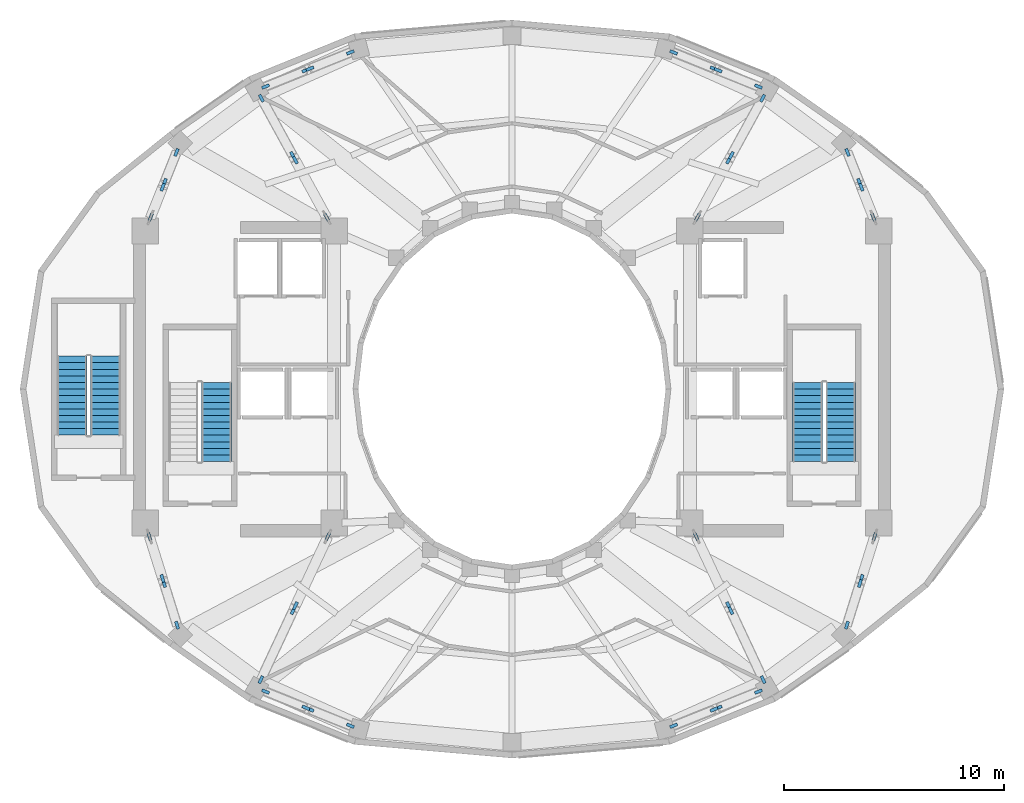
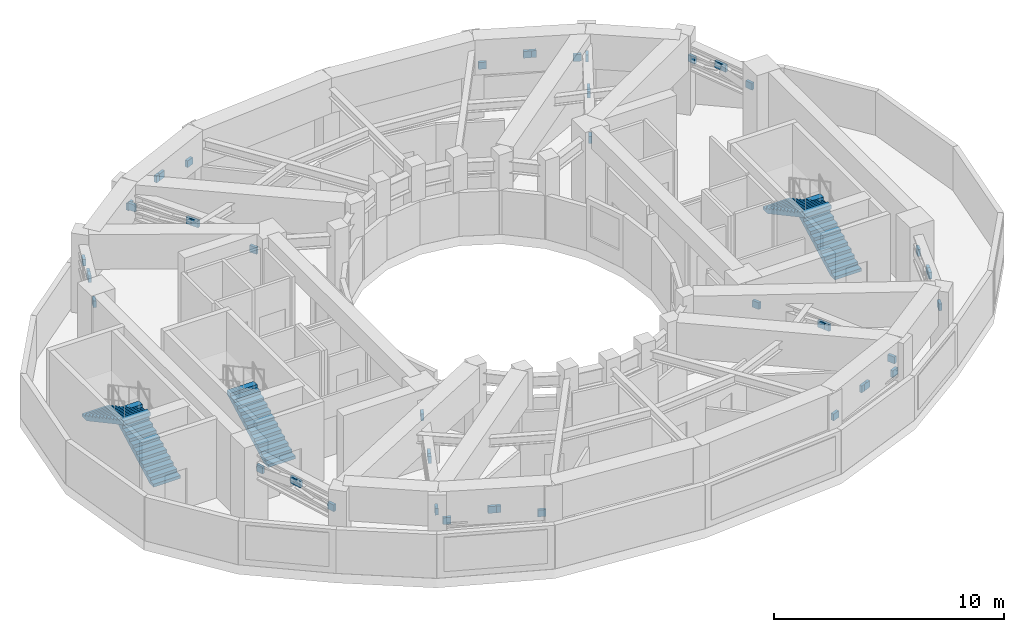
# One storey, part 6 of 10: 48 discrete accessories, 5 stair flights, 3 elements without a shape of their own.
"""IFC4 building model written with IfcOpenShell, lengths in metres."""

from ifc_helpers import new_model, si_unit, direction, frame, origin, origin_2d, place, context, subcontext, project, spatial, polyline, rectangle, outline, extrude, material, layer, layer_set, type_object, element, aggregate, save


model = new_model("IFC4")

# Units and contexts
model_context = context("Model", 3, precision=1e-05, world=origin(), true_north=direction((0.0, 1.0)))
body_context = subcontext(model_context, "Body", "Model", "MODEL_VIEW")
ifc_project = project(units=[si_unit("LENGTHUNIT", "METRE"), si_unit("AREAUNIT", "SQUARE_METRE"), si_unit("VOLUMEUNIT", "CUBIC_METRE"), si_unit("PLANEANGLEUNIT", "RADIAN"), si_unit("MASSUNIT", "GRAM", prefix="KILO")], contexts=[model_context])

# Site, building, storey
site_placement = place(None, origin())
site = spatial("IfcSite", under=ifc_project, at=site_placement, CompositionType="ELEMENT")
building_placement = place(site_placement, origin())
building = spatial("IfcBuilding", under=site, at=building_placement, Name="Solvane Sanctuary Tower", CompositionType="ELEMENT")
storey_placement = place(building_placement, frame((0.0, 0.0, 193.199951171875)))
storey = spatial("IfcBuildingStorey", under=building, at=storey_placement, Name="L59", CompositionType="ELEMENT", Elevation=193.199951171875)

# Stair, stair flight
ifc_material_1 = material(Name="Concrete C45/55", Category="concrete")
stair_type = type_object("IfcStairType", Name="Stair ST-TOW", PredefinedType="HALF_TURN_STAIR", material=ifc_material_1)
stair_1_placement = place(storey_placement, origin())
stair_1 = element("IfcStair", 1, at=stair_1_placement, inside=storey, type_object=stair_type, Name="L59 Exit Stair ST-1 West Core", PredefinedType="HALF_TURN_STAIR")
stair_flight_type = type_object("IfcStairFlightType", Name="StairFlight SF-TOW", PredefinedType="STRAIGHT", material=ifc_material_1)
stair_flight_1_placement = place(storey_placement, frame((18.544921875, 19.699951171875, 0.0), z_axis=(0.0, 0.0, 1.0), x_axis=(0.0, 1.0, 0.0)))
stair_flight_1 = element("IfcStairFlight", 2, at=stair_flight_1_placement, type_object=stair_flight_type, Name="ST-1 flight 1", NumberOfRisers=13, NumberOfTreads=12, PredefinedType="STRAIGHT", RiserHeight=0.161538462, TreadLength=0.3, context=body_context, shape_type="SweptSolid", body=[
    extrude(outline(polyline([(0.0, 0.0), (0.0, 0.16162109375), (0.300048828125, 0.16162109375), (0.300048828125, 0.322998046875), (0.60009765625, 0.322998046875), (0.60009765625, 0.484619140625), (0.89990234375, 0.484619140625), (0.89990234375, 0.646240234375), (1.199951171875, 0.646240234375), (1.199951171875, 0.8076171875), (1.5, 0.8076171875), (1.5, 0.96923828125), (1.800048828125, 0.96923828125), (1.800048828125, 1.130859375), (2.10009765625, 1.130859375), (2.10009765625, 1.292236328125), (2.39990234375, 1.292236328125), (2.39990234375, 1.453857421875), (2.699951171875, 1.453857421875), (2.699951171875, 1.615478515625), (3.0, 1.615478515625), (3.0, 1.77685546875), (3.300048828125, 1.77685546875), (3.300048828125, 1.9384765625), (3.60009765625, 1.9384765625), (3.60009765625, 2.10009765625), (3.60009765625, 1.734130859375), (0.379638671875, 0.0), (0.0, 0.0)])), frame((0.0, 0.675048828125, 0.0), z_axis=(0.0, -1.0, 0.0), x_axis=(1.0, 0.0, 0.0)), (0.0, 0.0, 1.0), 1.35009765625),
])
aggregate(stair_1, [stair_flight_1])

# Stair, stair flights
stair_2_placement = place(storey_placement, origin())
stair_2 = element("IfcStair", 3, at=stair_2_placement, inside=storey, type_object=stair_type, Name="L59 Exit Stair ST-2 East Core", PredefinedType="HALF_TURN_STAIR")
stair_flight_2_placement = place(storey_placement, frame((46.965087890625, 19.699951171875, 0.0), z_axis=(0.0, 0.0, 1.0), x_axis=(0.0, 1.0, 0.0)))
stair_flight_2 = element("IfcStairFlight", 4, at=stair_flight_2_placement, type_object=stair_flight_type, Name="ST-2 flight 1", NumberOfRisers=13, NumberOfTreads=12, PredefinedType="STRAIGHT", RiserHeight=0.161538462, TreadLength=0.3, context=body_context, shape_type="SweptSolid", body=[
    extrude(outline(polyline([(0.0, 0.0), (0.0, 0.16162109375), (0.300048828125, 0.16162109375), (0.300048828125, 0.322998046875), (0.60009765625, 0.322998046875), (0.60009765625, 0.484619140625), (0.89990234375, 0.484619140625), (0.89990234375, 0.646240234375), (1.199951171875, 0.646240234375), (1.199951171875, 0.8076171875), (1.5, 0.8076171875), (1.5, 0.96923828125), (1.800048828125, 0.96923828125), (1.800048828125, 1.130859375), (2.10009765625, 1.130859375), (2.10009765625, 1.292236328125), (2.39990234375, 1.292236328125), (2.39990234375, 1.453857421875), (2.699951171875, 1.453857421875), (2.699951171875, 1.615478515625), (3.0, 1.615478515625), (3.0, 1.77685546875), (3.300048828125, 1.77685546875), (3.300048828125, 1.9384765625), (3.60009765625, 1.9384765625), (3.60009765625, 2.10009765625), (3.60009765625, 1.734130859375), (0.379638671875, 0.0), (0.0, 0.0)])), frame((0.0, 0.675048828125, 0.0), z_axis=(0.0, -1.0, 0.0), x_axis=(1.0, 0.0, 0.0)), (0.0, 0.0, 1.0), 1.35009765625),
])
stair_flight_3_placement = place(storey_placement, frame((45.455078125, 23.300048828125, 2.10009765625), z_axis=(0.0, 0.0, 1.0), x_axis=(0.0, -1.0, 0.0)))
stair_flight_3 = element("IfcStairFlight", 5, at=stair_flight_3_placement, type_object=stair_flight_type, Name="ST-2 flight 2", NumberOfRisers=13, NumberOfTreads=12, PredefinedType="STRAIGHT", RiserHeight=0.161538462, TreadLength=0.3, context=body_context, shape_type="SweptSolid", body=[
    extrude(outline(polyline([(0.0, 0.0), (0.0, 0.16162109375), (0.300048828125, 0.16162109375), (0.300048828125, 0.322998046875), (0.60009765625, 0.322998046875), (0.60009765625, 0.484619140625), (0.89990234375, 0.484619140625), (0.89990234375, 0.646240234375), (1.199951171875, 0.646240234375), (1.199951171875, 0.8076171875), (1.5, 0.8076171875), (1.5, 0.96923828125), (1.800048828125, 0.96923828125), (1.800048828125, 1.130859375), (2.10009765625, 1.130859375), (2.10009765625, 1.292236328125), (2.39990234375, 1.292236328125), (2.39990234375, 1.453857421875), (2.699951171875, 1.453857421875), (2.699951171875, 1.615478515625), (3.0, 1.615478515625), (3.0, 1.77685546875), (3.300048828125, 1.77685546875), (3.300048828125, 1.9384765625), (3.60009765625, 1.9384765625), (3.60009765625, 2.10009765625), (3.60009765625, 1.734130859375), (0.379638671875, 0.0), (0.0, 0.0)])), frame((0.0, 0.675048828125, 0.0), z_axis=(0.0, -1.0, 0.0), x_axis=(1.0, 0.0, 0.0)), (0.0, 0.0, 1.0), 1.35009765625),
])
aggregate(stair_2, [stair_flight_2, stair_flight_3])

stair_3_placement = place(storey_placement, origin())
stair_3 = element("IfcStair", 6, at=stair_3_placement, inside=storey, type_object=stair_type, Name="L59 Exit Stair ST-3 Pilgrim Tower Stair", PredefinedType="HALF_TURN_STAIR")
stair_flight_4_placement = place(storey_placement, frame((13.485107421875, 20.89990234375, 0.0), z_axis=(0.0, 0.0, 1.0), x_axis=(0.0, 1.0, 0.0)))
stair_flight_4 = element("IfcStairFlight", 7, at=stair_flight_4_placement, type_object=stair_flight_type, Name="ST-3 flight 1", NumberOfRisers=13, NumberOfTreads=12, PredefinedType="STRAIGHT", RiserHeight=0.161538462, TreadLength=0.3, context=body_context, shape_type="SweptSolid", body=[
    extrude(outline(polyline([(0.0, 0.0), (0.0, 0.16162109375), (0.300048828125, 0.16162109375), (0.300048828125, 0.322998046875), (0.60009765625, 0.322998046875), (0.60009765625, 0.484619140625), (0.89990234375, 0.484619140625), (0.89990234375, 0.646240234375), (1.199951171875, 0.646240234375), (1.199951171875, 0.8076171875), (1.5, 0.8076171875), (1.5, 0.96923828125), (1.800048828125, 0.96923828125), (1.800048828125, 1.130859375), (2.10009765625, 1.130859375), (2.10009765625, 1.292236328125), (2.39990234375, 1.292236328125), (2.39990234375, 1.453857421875), (2.699951171875, 1.453857421875), (2.699951171875, 1.615478515625), (3.0, 1.615478515625), (3.0, 1.77685546875), (3.300048828125, 1.77685546875), (3.300048828125, 1.9384765625), (3.60009765625, 1.9384765625), (3.60009765625, 2.10009765625), (3.60009765625, 1.734130859375), (0.379638671875, 0.0), (0.0, 0.0)])), frame((0.0, 0.675048828125, 0.0), z_axis=(0.0, -1.0, 0.0), x_axis=(1.0, 0.0, 0.0)), (0.0, 0.0, 1.0), 1.35009765625),
])
stair_flight_5_placement = place(storey_placement, frame((11.97509765625, 24.5, 2.10009765625), z_axis=(0.0, 0.0, 1.0), x_axis=(0.0, -1.0, 0.0)))
stair_flight_5 = element("IfcStairFlight", 8, at=stair_flight_5_placement, type_object=stair_flight_type, Name="ST-3 flight 2", NumberOfRisers=13, NumberOfTreads=12, PredefinedType="STRAIGHT", RiserHeight=0.161538462, TreadLength=0.3, context=body_context, shape_type="SweptSolid", body=[
    extrude(outline(polyline([(0.0, 0.0), (0.0, 0.16162109375), (0.300048828125, 0.16162109375), (0.300048828125, 0.322998046875), (0.60009765625, 0.322998046875), (0.60009765625, 0.484619140625), (0.89990234375, 0.484619140625), (0.89990234375, 0.646240234375), (1.199951171875, 0.646240234375), (1.199951171875, 0.8076171875), (1.5, 0.8076171875), (1.5, 0.96923828125), (1.800048828125, 0.96923828125), (1.800048828125, 1.130859375), (2.10009765625, 1.130859375), (2.10009765625, 1.292236328125), (2.39990234375, 1.292236328125), (2.39990234375, 1.453857421875), (2.699951171875, 1.453857421875), (2.699951171875, 1.615478515625), (3.0, 1.615478515625), (3.0, 1.77685546875), (3.300048828125, 1.77685546875), (3.300048828125, 1.9384765625), (3.60009765625, 1.9384765625), (3.60009765625, 2.10009765625), (3.60009765625, 1.734130859375), (0.379638671875, 0.0), (0.0, 0.0)])), frame((0.0, 0.675048828125, 0.0), z_axis=(0.0, -1.0, 0.0), x_axis=(1.0, 0.0, 0.0)), (0.0, 0.0, 1.0), 1.35009765625),
])
aggregate(stair_3, [stair_flight_4, stair_flight_5])

# Discrete accessories
ifc_material_2 = material(Name="Steel ASTM A572 Grade 50", Category="steel")
ifc_layer = layer(ifc_material_2, 0.360107421875, Name="Steel ASTM A572 Grade 50")
ifc_layer_set = layer_set([ifc_layer], Name="Steel ASTM A572 Grade 50")
discrete_accessory_type = type_object("IfcDiscreteAccessoryType", Name="Accessory ACC-GUSSET-BRK", PredefinedType="BRACKET", material=ifc_layer_set)
for number, where, z_axis, x_axis, name in (
    (9, (15.548095703125, 30.822998046875, 2.68212890625), (0.0, 0.0, 1.0), (0.370233199244, 0.92893884523, 0.0), "L59 Outrigger Truss Diagonal OW1 End Gusset Bracket A"),
    (10, (16.09130859375, 32.185791015625, 2.994140625), (0.0, 0.0, 1.0), (0.370233199244, 0.92893884523, 0.0), "L59 Outrigger Truss Diagonal OW1 End Gusset Bracket B"),
    (11, (16.181884765625, 32.412841796875, 2.994140625), (0.0, 0.0, 1.0), (0.370233199244, 0.92893884523, 0.0), "L59 Outrigger Web Strut OW1 End Gusset Bracket A"),
    (12, (16.72509765625, 33.775634765625, 2.68212890625), (0.0, 0.0, 1.0), (0.370233199244, 0.92893884523, 0.0), "L59 Outrigger Web Strut OW1 End Gusset Bracket B"),
    (13, (23.559326171875, 30.82177734375, 2.6806640625), (0.0, 0.0, 1.0), (-0.480529649952, 0.876978480647, 0.0), "L59 Outrigger Truss Diagonal OW2 End Gusset Bracket A"),
    (14, (22.13427734375, 33.423095703125, 3.00634765625), (0.0, 0.0, 1.0), (-0.480529649952, 0.876978480647, 0.0), "L59 Outrigger Truss Diagonal OW2 End Gusset Bracket B"),
    (15, (22.014892578125, 33.64111328125, 3.00634765625), (0.0, 0.0, 1.0), (-0.480529649952, 0.876978480647, 0.0), "L59 Outrigger Web Strut OW2 End Gusset Bracket A"),
    (16, (20.58984375, 36.242431640625, 2.6806640625), (0.0, 0.0, 1.0), (-0.480529649952, 0.876978480647, 0.0), "L59 Outrigger Web Strut OW2 End Gusset Bracket B"),
    (17, (15.4951171875, 16.2763671875, 2.68115234375), (0.0, 0.0, 1.0), (0.298374534012, -0.954448865814, 0.0), "L59 Outrigger Truss Diagonal OW3 End Gusset Bracket A"),
    (18, (16.08740234375, 14.3818359375, 3.0), (0.0, 0.0, 1.0), (0.298374534012, -0.954448865814, 0.0), "L59 Outrigger Truss Diagonal OW3 End Gusset Bracket B"),
    (19, (16.160888671875, 14.146240234375, 3.0), (0.0, 0.0, 1.0), (0.298374534012, -0.954448865814, 0.0), "L59 Outrigger Web Strut OW3 End Gusset Bracket A"),
    (20, (16.753173828125, 12.25146484375, 2.68115234375), (0.0, 0.0, 1.0), (0.298374534012, -0.954448865814, 0.0), "L59 Outrigger Web Strut OW3 End Gusset Bracket B"),
    (21, (23.60888671875, 16.27734375, 2.68017578125), (0.0, 0.0, 1.0), (-0.423567113136, -0.90586472537, 0.0), "L59 Outrigger Truss Diagonal OW4 End Gusset Bracket A"),
    (22, (22.140380859375, 13.136962890625, 3.00830078125), (0.0, 0.0, 1.0), (-0.423567113136, -0.90586472537, 0.0), "L59 Outrigger Truss Diagonal OW4 End Gusset Bracket B"),
    (23, (22.034912109375, 12.91162109375, 3.00830078125), (0.0, 0.0, 1.0), (-0.423567113136, -0.90586472537, 0.0), "L59 Outrigger Web Strut OW4 End Gusset Bracket A"),
    (24, (20.56640625, 9.77099609375, 2.68017578125), (0.0, 0.0, 1.0), (-0.423567113136, -0.90586472537, 0.0), "L59 Outrigger Web Strut OW4 End Gusset Bracket B"),
    (25, (48.451904296875, 30.822998046875, 2.68212890625), (0.0, 0.0, 1.0), (-0.370233199244, 0.92893884523, 0.0), "L59 Outrigger Truss Diagonal OE1 End Gusset Bracket A"),
    (26, (47.90869140625, 32.185791015625, 2.994140625), (0.0, 0.0, 1.0), (-0.370233199244, 0.92893884523, 0.0), "L59 Outrigger Truss Diagonal OE1 End Gusset Bracket B"),
    (27, (47.818115234375, 32.412841796875, 2.994140625), (0.0, 0.0, 1.0), (-0.370233199244, 0.92893884523, 0.0), "L59 Outrigger Web Strut OE1 End Gusset Bracket A"),
    (28, (47.27490234375, 33.775634765625, 2.68212890625), (0.0, 0.0, 1.0), (-0.370233199244, 0.92893884523, 0.0), "L59 Outrigger Web Strut OE1 End Gusset Bracket B"),
    (29, (40.440673828125, 30.82177734375, 2.6806640625), (0.0, 0.0, 1.0), (0.480529649952, 0.876978480647, 0.0), "L59 Outrigger Truss Diagonal OE2 End Gusset Bracket A"),
    (30, (41.86572265625, 33.423095703125, 3.00634765625), (0.0, 0.0, 1.0), (0.480529649952, 0.876978480647, 0.0), "L59 Outrigger Truss Diagonal OE2 End Gusset Bracket B"),
    (31, (41.985107421875, 33.64111328125, 3.00634765625), (0.0, 0.0, 1.0), (0.480529649952, 0.876978480647, 0.0), "L59 Outrigger Web Strut OE2 End Gusset Bracket A"),
    (32, (43.41015625, 36.242431640625, 2.6806640625), (0.0, 0.0, 1.0), (0.480529649952, 0.876978480647, 0.0), "L59 Outrigger Web Strut OE2 End Gusset Bracket B"),
    (33, (48.5048828125, 16.2763671875, 2.68115234375), (0.0, 0.0, 1.0), (-0.298374534012, -0.954448865814, 0.0), "L59 Outrigger Truss Diagonal OE3 End Gusset Bracket A"),
    (34, (47.91259765625, 14.3818359375, 3.0), (0.0, 0.0, 1.0), (-0.298374534012, -0.954448865814, 0.0), "L59 Outrigger Truss Diagonal OE3 End Gusset Bracket B"),
    (35, (47.839111328125, 14.146240234375, 3.0), (0.0, 0.0, 1.0), (-0.298374534012, -0.954448865814, 0.0), "L59 Outrigger Web Strut OE3 End Gusset Bracket A"),
    (36, (47.246826171875, 12.25146484375, 2.68115234375), (0.0, 0.0, 1.0), (-0.298374534012, -0.954448865814, 0.0), "L59 Outrigger Web Strut OE3 End Gusset Bracket B"),
    (37, (40.39111328125, 16.27734375, 2.68017578125), (0.0, 0.0, 1.0), (0.423567113136, -0.90586472537, 0.0), "L59 Outrigger Truss Diagonal OE4 End Gusset Bracket A"),
    (38, (41.859619140625, 13.136962890625, 3.00830078125), (0.0, 0.0, 1.0), (0.423567113136, -0.90586472537, 0.0), "L59 Outrigger Truss Diagonal OE4 End Gusset Bracket B"),
    (39, (41.965087890625, 12.91162109375, 3.00830078125), (0.0, 0.0, 1.0), (0.423567113136, -0.90586472537, 0.0), "L59 Outrigger Web Strut OE4 End Gusset Bracket A"),
    (40, (43.43359375, 9.77099609375, 2.68017578125), (0.0, 0.0, 1.0), (0.423567113136, -0.90586472537, 0.0), "L59 Outrigger Web Strut OE4 End Gusset Bracket B"),
    (41, (20.77880859375, 36.7734375, 2.37109375), (0.0, 0.0, 1.0), (0.927706000077, 0.373311635797, 0.0), "L59 Belt Truss Diagonal 06-05 End Gusset Bracket A"),
    (42, (22.614013671875, 37.511962890625, 2.76806640625), (0.0, 0.0, 1.0), (0.927706000077, 0.373311635797, 0.0), "L59 Belt Truss Diagonal 06-05 End Gusset Bracket B"),
    (43, (22.80517578125, 37.5888671875, 2.76806640625), (0.0, 0.0, 1.0), (0.927706000077, 0.373311635797, 0.0), "L59 Belt Truss Web Strut 06-05 End Gusset Bracket A"),
    (44, (24.640380859375, 38.327392578125, 2.37109375), (0.0, 0.0, 1.0), (0.927706000077, 0.373311635797, 0.0), "L59 Belt Truss Web Strut 06-05 End Gusset Bracket B"),
    (45, (39.359619140625, 38.327392578125, 2.37109375), (0.0, 0.0, 1.0), (0.927706000077, -0.373311635797, 0.0), "L59 Belt Truss Diagonal 03-02 End Gusset Bracket A"),
    (46, (41.19482421875, 37.5888671875, 2.76806640625), (0.0, 0.0, 1.0), (0.927706000077, -0.373311635797, 0.0), "L59 Belt Truss Diagonal 03-02 End Gusset Bracket B"),
    (47, (41.385986328125, 37.511962890625, 2.76806640625), (0.0, 0.0, 1.0), (0.927706000077, -0.373311635797, 0.0), "L59 Belt Truss Web Strut 03-02 End Gusset Bracket A"),
    (48, (43.22119140625, 36.7734375, 2.37109375), (0.0, 0.0, 1.0), (0.927706000077, -0.373311635797, 0.0), "L59 Belt Truss Web Strut 03-02 End Gusset Bracket B"),
    (49, (20.77880859375, 9.2265625, 2.37109375), (0.0, 0.0, 1.0), (0.927706000077, -0.373311635797, 0.0), "L59 Belt Truss Diagonal 09-10 End Gusset Bracket A"),
    (50, (22.614013671875, 8.488037109375, 2.76806640625), (0.0, 0.0, 1.0), (0.927706000077, -0.373311635797, 0.0), "L59 Belt Truss Diagonal 09-10 End Gusset Bracket B"),
    (51, (22.80517578125, 8.4111328125, 2.76806640625), (0.0, 0.0, 1.0), (0.927706000077, -0.373311635797, 0.0), "L59 Belt Truss Web Strut 09-10 End Gusset Bracket A"),
    (52, (24.640380859375, 7.672607421875, 2.37109375), (0.0, 0.0, 1.0), (0.927706000077, -0.373311635797, 0.0), "L59 Belt Truss Web Strut 09-10 End Gusset Bracket B"),
    (53, (39.359619140625, 7.672607421875, 2.37109375), (0.0, 0.0, 1.0), (0.927706000077, 0.373311635797, 0.0), "L59 Belt Truss Diagonal 12-13 End Gusset Bracket A"),
    (54, (41.19482421875, 8.4111328125, 2.76806640625), (0.0, 0.0, 1.0), (0.927706000077, 0.373311635797, 0.0), "L59 Belt Truss Diagonal 12-13 End Gusset Bracket B"),
    (55, (41.385986328125, 8.488037109375, 2.76806640625), (0.0, 0.0, 1.0), (0.927706000077, 0.373311635797, 0.0), "L59 Belt Truss Web Strut 12-13 End Gusset Bracket A"),
    (56, (43.22119140625, 9.2265625, 2.37109375), (0.0, 0.0, 1.0), (0.927706000077, 0.373311635797, 0.0), "L59 Belt Truss Web Strut 12-13 End Gusset Bracket B"),
):
    element("IfcDiscreteAccessory", number, at=place(storey_placement, frame(where, z_axis=z_axis, x_axis=x_axis)), inside=storey, type_object=discrete_accessory_type, Name=name, PredefinedType="BRACKET", context=body_context, shape_type="SweptSolid", body=[
        extrude(rectangle(XDim=0.360107421875, YDim=0.139892578125, at=origin_2d()), origin(), (0.0, 0.0, 1.0), 0.360107421875),
    ])

save(model, "model.ifc")
